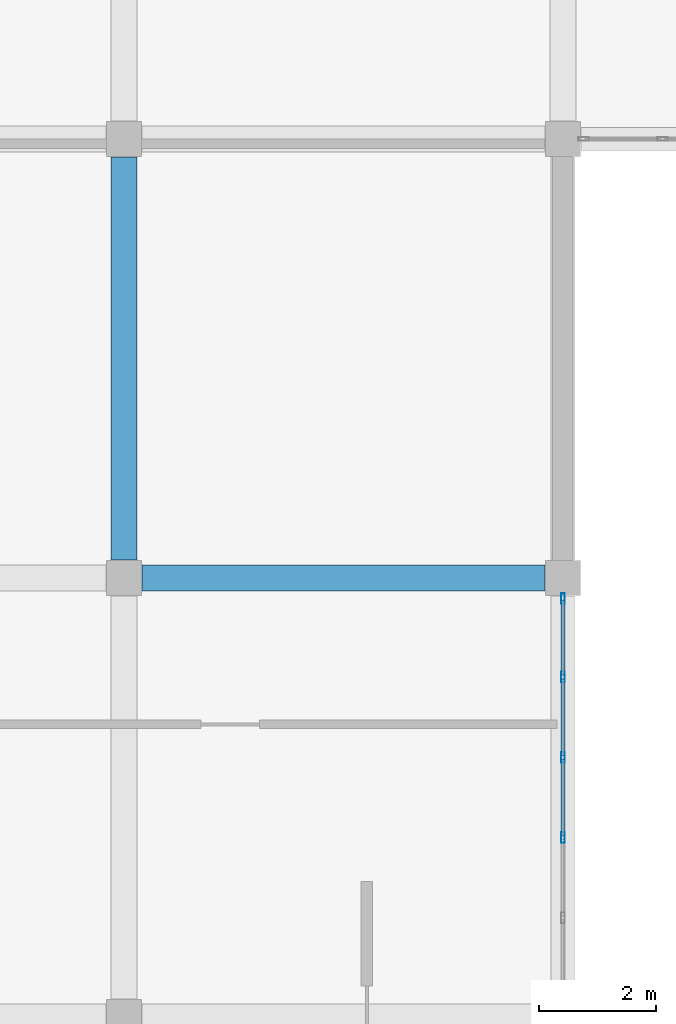
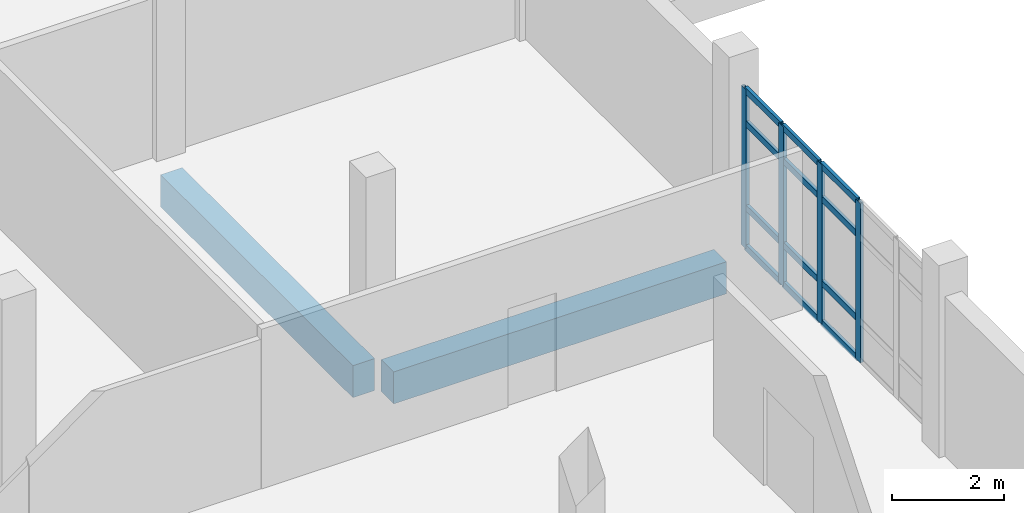
# One storey, part 43 of 164: 16 members, 2 beams, 1 element without a shape of its own.
"""IFC4 building model written with IfcOpenShell, lengths in metres."""

from ifc_helpers import new_model, si_unit, direction, frame, origin, origin_2d, place, context, subcontext, project, spatial, rectangle, hollow_rectangle, extrude, material, layer, layer_set, material_profile, profile_set, type_object, element, aggregate, save


model = new_model("IFC4")

# Units and contexts
model_context = context("Model", 3, precision=1e-05, world=origin(), true_north=direction((0.0, 1.0)))
body_context = subcontext(model_context, "Body", "Model", "MODEL_VIEW")
ifc_project = project(units=[si_unit("LENGTHUNIT", "METRE"), si_unit("AREAUNIT", "SQUARE_METRE"), si_unit("VOLUMEUNIT", "CUBIC_METRE"), si_unit("PLANEANGLEUNIT", "RADIAN"), si_unit("MASSUNIT", "GRAM", prefix="KILO")], contexts=[model_context])

# Site, building, storey
site_placement = place(None, origin())
site = spatial("IfcSite", under=ifc_project, at=site_placement, CompositionType="ELEMENT")
building_placement = place(site_placement, origin())
building = spatial("IfcBuilding", under=site, at=building_placement, Name="Mawjan Specialist Oncology Clinic", CompositionType="ELEMENT")
storey_placement = place(building_placement, frame((0.0, 0.0, 5.0)))
storey = spatial("IfcBuildingStorey", under=building, at=storey_placement, Name="L01", CompositionType="ELEMENT", Elevation=5.0)

# Beams
ifc_material_1 = material(Name="Concrete C40/50", Category="concrete")
ifc_material_profile_1 = material_profile(ifc_material_1, rectangle(XDim=0.449951171875, YDim=0.699951171875, at=origin_2d()), Name="RC BM 450x700", Category="concrete")
ifc_profile_set_1 = profile_set([ifc_material_profile_1], Name="Concrete C40/50")
beam_type = type_object("IfcBeamType", Name="BM-450x700", PredefinedType="BEAM", material=ifc_profile_set_1)
for number, where, z_axis, x_axis, name in (
    (1, (37.81005859375, 38.300048828125, -0.64990234375), (1.0, 0.0, 0.0), (0.0, 1.0, 0.0), "L01 Collector Beam BM-L01-0255"),
    (2, (37.5, 38.610107421875, -0.64990234375), (0.0, 1.0, 0.0), (-1.0, 0.0, 0.0), "L01 Collector Beam BM-L01-0467"),
):
    element("IfcBeam", number, at=place(storey_placement, frame(where, z_axis=z_axis, x_axis=x_axis)), inside=storey, type_object=beam_type, Name=name, PredefinedType="BEAM", context=body_context, shape_type="SweptSolid", body=[
        extrude(rectangle(XDim=0.449951171875, YDim=0.699951171875, at=origin_2d()), origin(), (0.0, 0.0, 1.0), 6.8798828125),
    ])

# Curtain wall, members
ifc_material_2 = material(Name="Unitised spectrally selective aluminium curtain wall", Category="aluminium")
ifc_layer = layer(ifc_material_2, 0.179931640625, Name="Unitised spectrally selective aluminium curtain wall", Category="aluminium")
ifc_layer_set = layer_set([ifc_layer], Name="Unitised spectrally selective aluminium curtain wall")
curtain_wall_type = type_object("IfcCurtainWallType", Name="CW-60", PredefinedType="NOTDEFINED", material=ifc_layer_set)
curtain_wall_placement = place(storey_placement, origin())
curtain_wall = element("IfcCurtainWall", 3, at=curtain_wall_placement, inside=storey, type_object=curtain_wall_type, Name="L01 Unitised Curtain Wall CW-L01-140", PredefinedType="NOTDEFINED")
ifc_material_3 = material(Name="Thermally broken aluminium 6063-T6", Category="aluminium")
ifc_material_profile_2 = material_profile(ifc_material_3, hollow_rectangle(XDim=0.06494140625, YDim=0.179931640625, WallThickness=0.00390625, at=origin_2d()), Name="ALU MULLION 180x65x4", Category="aluminium")
ifc_profile_set_2 = profile_set([ifc_material_profile_2], Name="Thermally broken aluminium 6063-T6")
member_type_1 = type_object("IfcMemberType", Name="CW-M180", PredefinedType="MULLION", material=ifc_profile_set_2)
member_1_placement = place(storey_placement, frame((45.0, 37.947509765625, 0.0), z_axis=(0.0, 0.0, 1.0), x_axis=(1.0, 0.0, 0.0)))
member_1 = element("IfcMember", 4, at=member_1_placement, type_object=member_type_1, Name="CW-60 mullion 1", PredefinedType="MULLION", context=body_context, shape_type="SweptSolid", body=[
    extrude(hollow_rectangle(XDim=0.06494140625, YDim=0.179931640625, WallThickness=0.00390625, at=origin_2d()), origin(), (0.0, 0.0, 1.0), 3.485107421875),
])
member_2_placement = place(storey_placement, frame((45.0, 36.60791015625, 0.0), z_axis=(0.0, 0.0, 1.0), x_axis=(1.0, 0.0, 0.0)))
member_2 = element("IfcMember", 5, at=member_2_placement, type_object=member_type_1, Name="CW-60 mullion 2", PredefinedType="MULLION", context=body_context, shape_type="SweptSolid", body=[
    extrude(hollow_rectangle(XDim=0.06494140625, YDim=0.179931640625, WallThickness=0.00390625, at=origin_2d()), origin(), (0.0, 0.0, 1.0), 3.485107421875),
])
member_3_placement = place(storey_placement, frame((45.0, 35.236083984375, 0.0), z_axis=(0.0, 0.0, 1.0), x_axis=(1.0, 0.0, 0.0)))
member_3 = element("IfcMember", 6, at=member_3_placement, type_object=member_type_1, Name="CW-60 mullion 3", PredefinedType="MULLION", context=body_context, shape_type="SweptSolid", body=[
    extrude(hollow_rectangle(XDim=0.06494140625, YDim=0.179931640625, WallThickness=0.00390625, at=origin_2d()), origin(), (0.0, 0.0, 1.0), 3.485107421875),
])
member_4_placement = place(storey_placement, frame((45.0, 33.864013671875, 0.0), z_axis=(0.0, 0.0, 1.0), x_axis=(1.0, 0.0, 0.0)))
member_4 = element("IfcMember", 7, at=member_4_placement, type_object=member_type_1, Name="CW-60 mullion 4", PredefinedType="MULLION", context=body_context, shape_type="SweptSolid", body=[
    extrude(hollow_rectangle(XDim=0.06494140625, YDim=0.179931640625, WallThickness=0.00390625, at=origin_2d()), origin(), (0.0, 0.0, 1.0), 3.485107421875),
])
ifc_material_4 = material(Name="Thermally broken aluminium 6063-T6", Category="aluminium")
ifc_material_profile_3 = material_profile(ifc_material_4, hollow_rectangle(XDim=0.06494140625, YDim=0.139892578125, WallThickness=0.00390625, at=origin_2d()), Name="ALU TRANSOM 140x65x4", Category="aluminium")
ifc_profile_set_3 = profile_set([ifc_material_profile_3], Name="Thermally broken aluminium 6063-T6")
member_type_2 = type_object("IfcMemberType", Name="CW-T140", PredefinedType="USERDEFINED", material=ifc_profile_set_3)
member_5_placement = place(storey_placement, frame((45.0, 37.9150390625, 0.032470703125), z_axis=(0.0, -1.0, 0.0), x_axis=(1.0, 0.0, 0.0)))
member_5 = element("IfcMember", 8, at=member_5_placement, type_object=member_type_2, Name="CW-60 transom 1.1", ObjectType="TRANSOM", PredefinedType="USERDEFINED", context=body_context, shape_type="SweptSolid", body=[
    extrude(hollow_rectangle(XDim=0.06494140625, YDim=0.139892578125, WallThickness=0.00390625, at=origin_2d()), origin(), (0.0, 0.0, 1.0), 1.274658203125),
])
member_6_placement = place(storey_placement, frame((45.0, 37.9150390625, 0.89990234375), z_axis=(0.0, -1.0, 0.0), x_axis=(1.0, 0.0, 0.0)))
member_6 = element("IfcMember", 9, at=member_6_placement, type_object=member_type_2, Name="CW-60 transom 1.2", ObjectType="TRANSOM", PredefinedType="USERDEFINED", context=body_context, shape_type="SweptSolid", body=[
    extrude(hollow_rectangle(XDim=0.06494140625, YDim=0.139892578125, WallThickness=0.00390625, at=origin_2d()), origin(), (0.0, 0.0, 1.0), 1.274658203125),
])
member_7_placement = place(storey_placement, frame((45.0, 37.9150390625, 2.735107421875), z_axis=(0.0, -1.0, 0.0), x_axis=(1.0, 0.0, 0.0)))
member_7 = element("IfcMember", 10, at=member_7_placement, type_object=member_type_2, Name="CW-60 transom 1.3", ObjectType="TRANSOM", PredefinedType="USERDEFINED", context=body_context, shape_type="SweptSolid", body=[
    extrude(hollow_rectangle(XDim=0.06494140625, YDim=0.139892578125, WallThickness=0.00390625, at=origin_2d()), origin(), (0.0, 0.0, 1.0), 1.274658203125),
])
member_8_placement = place(storey_placement, frame((45.0, 37.9150390625, 3.452392578125), z_axis=(0.0, -1.0, 0.0), x_axis=(1.0, 0.0, 0.0)))
member_8 = element("IfcMember", 11, at=member_8_placement, type_object=member_type_2, Name="CW-60 transom 1.4", ObjectType="TRANSOM", PredefinedType="USERDEFINED", context=body_context, shape_type="SweptSolid", body=[
    extrude(hollow_rectangle(XDim=0.06494140625, YDim=0.139892578125, WallThickness=0.00390625, at=origin_2d()), origin(), (0.0, 0.0, 1.0), 1.274658203125),
])
member_9_placement = place(storey_placement, frame((45.0, 36.575439453125, 0.032470703125), z_axis=(0.0, -1.0, 0.0), x_axis=(1.0, 0.0, 0.0)))
member_9 = element("IfcMember", 12, at=member_9_placement, type_object=member_type_2, Name="CW-60 transom 2.1", ObjectType="TRANSOM", PredefinedType="USERDEFINED", context=body_context, shape_type="SweptSolid", body=[
    extrude(hollow_rectangle(XDim=0.06494140625, YDim=0.139892578125, WallThickness=0.00390625, at=origin_2d()), origin(), (0.0, 0.0, 1.0), 1.306884765625),
])
member_10_placement = place(storey_placement, frame((45.0, 36.575439453125, 0.89990234375), z_axis=(0.0, -1.0, 0.0), x_axis=(1.0, 0.0, 0.0)))
member_10 = element("IfcMember", 13, at=member_10_placement, type_object=member_type_2, Name="CW-60 transom 2.2", ObjectType="TRANSOM", PredefinedType="USERDEFINED", context=body_context, shape_type="SweptSolid", body=[
    extrude(hollow_rectangle(XDim=0.06494140625, YDim=0.139892578125, WallThickness=0.00390625, at=origin_2d()), origin(), (0.0, 0.0, 1.0), 1.306884765625),
])
member_11_placement = place(storey_placement, frame((45.0, 36.575439453125, 2.735107421875), z_axis=(0.0, -1.0, 0.0), x_axis=(1.0, 0.0, 0.0)))
member_11 = element("IfcMember", 14, at=member_11_placement, type_object=member_type_2, Name="CW-60 transom 2.3", ObjectType="TRANSOM", PredefinedType="USERDEFINED", context=body_context, shape_type="SweptSolid", body=[
    extrude(hollow_rectangle(XDim=0.06494140625, YDim=0.139892578125, WallThickness=0.00390625, at=origin_2d()), origin(), (0.0, 0.0, 1.0), 1.306884765625),
])
member_12_placement = place(storey_placement, frame((45.0, 36.575439453125, 3.452392578125), z_axis=(0.0, -1.0, 0.0), x_axis=(1.0, 0.0, 0.0)))
member_12 = element("IfcMember", 15, at=member_12_placement, type_object=member_type_2, Name="CW-60 transom 2.4", ObjectType="TRANSOM", PredefinedType="USERDEFINED", context=body_context, shape_type="SweptSolid", body=[
    extrude(hollow_rectangle(XDim=0.06494140625, YDim=0.139892578125, WallThickness=0.00390625, at=origin_2d()), origin(), (0.0, 0.0, 1.0), 1.306884765625),
])
member_13_placement = place(storey_placement, frame((45.0, 35.20361328125, 0.032470703125), z_axis=(0.0, -1.0, 0.0), x_axis=(1.0, 0.0, 0.0)))
member_13 = element("IfcMember", 16, at=member_13_placement, type_object=member_type_2, Name="CW-60 transom 3.1", ObjectType="TRANSOM", PredefinedType="USERDEFINED", context=body_context, shape_type="SweptSolid", body=[
    extrude(hollow_rectangle(XDim=0.06494140625, YDim=0.139892578125, WallThickness=0.00390625, at=origin_2d()), origin(), (0.0, 0.0, 1.0), 1.30712890625),
])
member_14_placement = place(storey_placement, frame((45.0, 35.20361328125, 0.89990234375), z_axis=(0.0, -1.0, 0.0), x_axis=(1.0, 0.0, 0.0)))
member_14 = element("IfcMember", 17, at=member_14_placement, type_object=member_type_2, Name="CW-60 transom 3.2", ObjectType="TRANSOM", PredefinedType="USERDEFINED", context=body_context, shape_type="SweptSolid", body=[
    extrude(hollow_rectangle(XDim=0.06494140625, YDim=0.139892578125, WallThickness=0.00390625, at=origin_2d()), origin(), (0.0, 0.0, 1.0), 1.30712890625),
])
member_15_placement = place(storey_placement, frame((45.0, 35.20361328125, 2.735107421875), z_axis=(0.0, -1.0, 0.0), x_axis=(1.0, 0.0, 0.0)))
member_15 = element("IfcMember", 18, at=member_15_placement, type_object=member_type_2, Name="CW-60 transom 3.3", ObjectType="TRANSOM", PredefinedType="USERDEFINED", context=body_context, shape_type="SweptSolid", body=[
    extrude(hollow_rectangle(XDim=0.06494140625, YDim=0.139892578125, WallThickness=0.00390625, at=origin_2d()), origin(), (0.0, 0.0, 1.0), 1.30712890625),
])
member_16_placement = place(storey_placement, frame((45.0, 35.20361328125, 3.452392578125), z_axis=(0.0, -1.0, 0.0), x_axis=(1.0, 0.0, 0.0)))
member_16 = element("IfcMember", 19, at=member_16_placement, type_object=member_type_2, Name="CW-60 transom 3.4", ObjectType="TRANSOM", PredefinedType="USERDEFINED", context=body_context, shape_type="SweptSolid", body=[
    extrude(hollow_rectangle(XDim=0.06494140625, YDim=0.139892578125, WallThickness=0.00390625, at=origin_2d()), origin(), (0.0, 0.0, 1.0), 1.30712890625),
])
aggregate(curtain_wall, [member_1, member_2, member_3, member_4, member_5, member_6, member_7, member_8, member_9, member_10, member_11, member_12, member_13, member_14, member_15, member_16])

save(model, "model.ifc")
